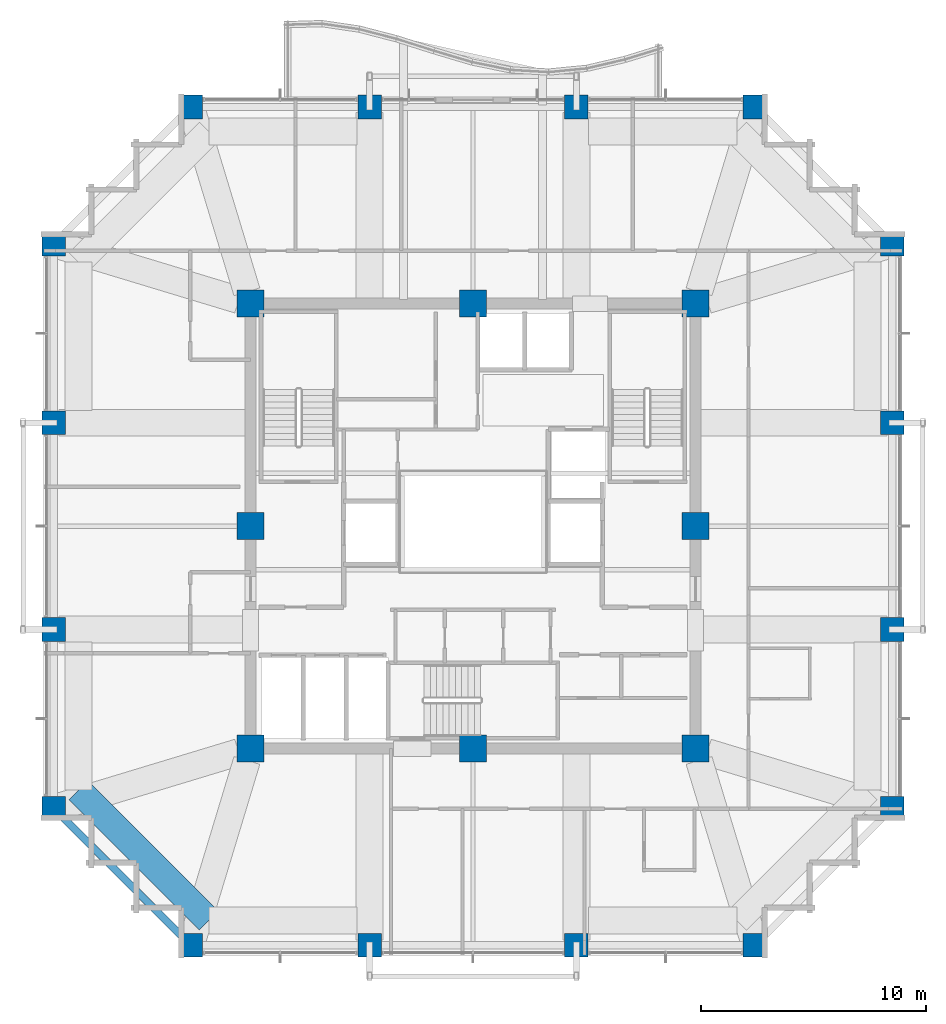
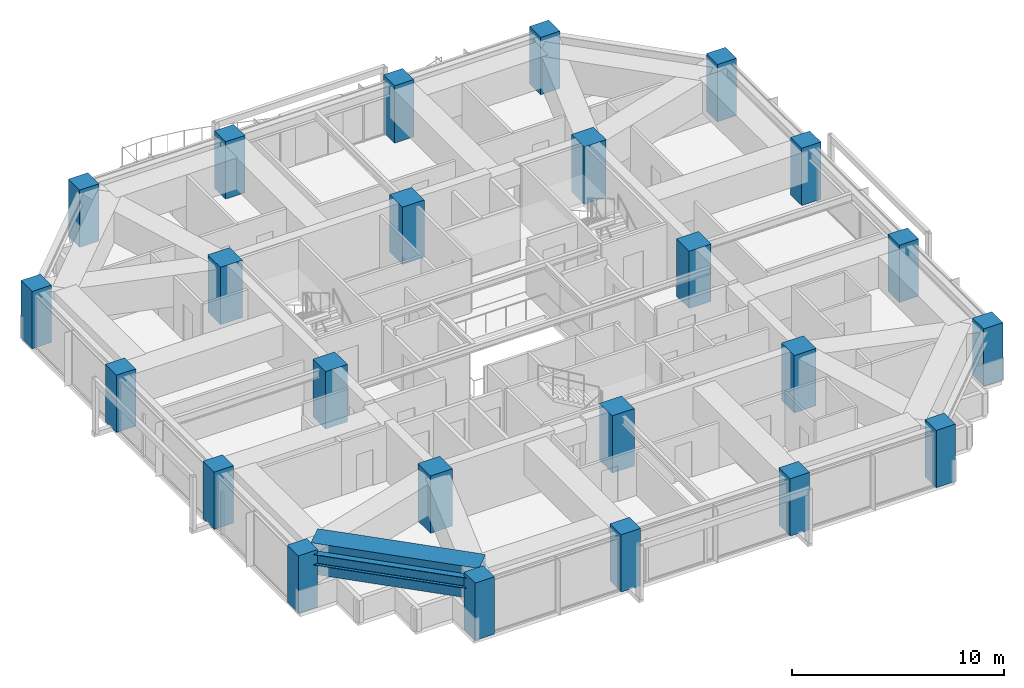
# One storey, part 1 of 28: 24 columns, 2 beams.
"""IFC4 building model written with IfcOpenShell, lengths in metres."""

from ifc_helpers import new_model, si_unit, direction, frame, origin, origin_2d, place, context, subcontext, project, spatial, rectangle, i_section, extrude, material, material_profile, profile_set, type_object, element, save


model = new_model("IFC4")

# Units and contexts
model_context = context("Model", 3, precision=1e-05, world=origin(), true_north=direction((0.0, 1.0)))
body_context = subcontext(model_context, "Body", "Model", "MODEL_VIEW")
ifc_project = project(units=[si_unit("LENGTHUNIT", "METRE"), si_unit("AREAUNIT", "SQUARE_METRE"), si_unit("VOLUMEUNIT", "CUBIC_METRE"), si_unit("PLANEANGLEUNIT", "RADIAN"), si_unit("MASSUNIT", "GRAM", prefix="KILO")], contexts=[model_context])

# Site, building, storey
site_placement = place(None, origin())
site = spatial("IfcSite", under=ifc_project, at=site_placement, CompositionType="ELEMENT")
building_placement = place(site_placement, origin())
building = spatial("IfcBuilding", under=site, at=building_placement, Name="Kolvaren Belvedere", CompositionType="ELEMENT")
storey_placement = place(building_placement, frame((0.0, 0.0, 125.0)))
storey = spatial("IfcBuildingStorey", under=building, at=storey_placement, Name="L36", CompositionType="ELEMENT", Elevation=125.0)

# Columns
ifc_material_1 = material(Name="Concrete C50/60", Category="concrete")
ifc_material_profile_1 = material_profile(ifc_material_1, rectangle(XDim=1.050048828125, YDim=1.050048828125, at=origin_2d()), Name="RC 1050X1050")
ifc_profile_set_1 = profile_set([ifc_material_profile_1], Name="Concrete C50/60")
column_type_1 = type_object("IfcColumnType", Name="COL-RC-1050", PredefinedType="COLUMN", material=ifc_profile_set_1)
for number, where, z_axis, x_axis, name in (
    (1, (-12.550048828125, -18.64990234375, 0.0), (0.0, 0.0, 1.0), (1.0, 0.0, 0.0), "L36 Perimeter Column S1"),
    (2, (-4.60009765625, -18.64990234375, 0.0), (0.0, 0.0, 1.0), (1.0, 0.0, 0.0), "L36 Perimeter Column S2"),
    (3, (4.60009765625, -18.64990234375, 0.0), (0.0, 0.0, 1.0), (1.0, 0.0, 0.0), "L36 Perimeter Column S3"),
    (4, (12.550048828125, -18.64990234375, 0.0), (0.0, 0.0, 1.0), (1.0, 0.0, 0.0), "L36 Perimeter Column S4"),
    (5, (-12.550048828125, 18.64990234375, 0.0), (0.0, 0.0, 1.0), (1.0, 0.0, 0.0), "L36 Perimeter Column N1"),
    (6, (-4.60009765625, 18.64990234375, 0.0), (0.0, 0.0, 1.0), (1.0, 0.0, 0.0), "L36 Perimeter Column N2"),
    (7, (4.60009765625, 18.64990234375, 0.0), (0.0, 0.0, 1.0), (1.0, 0.0, 0.0), "L36 Perimeter Column N3"),
    (8, (12.550048828125, 18.64990234375, 0.0), (0.0, 0.0, 1.0), (1.0, 0.0, 0.0), "L36 Perimeter Column N4"),
    (9, (-18.64990234375, -12.550048828125, 0.0), (0.0, 0.0, 1.0), (1.0, 0.0, 0.0), "L36 Perimeter Column W1"),
    (10, (-18.64990234375, -4.60009765625, 0.0), (0.0, 0.0, 1.0), (1.0, 0.0, 0.0), "L36 Perimeter Column W2"),
    (11, (-18.64990234375, 4.60009765625, 0.0), (0.0, 0.0, 1.0), (1.0, 0.0, 0.0), "L36 Perimeter Column W3"),
    (12, (-18.64990234375, 12.550048828125, 0.0), (0.0, 0.0, 1.0), (1.0, 0.0, 0.0), "L36 Perimeter Column W4"),
    (13, (18.64990234375, -12.550048828125, 0.0), (0.0, 0.0, 1.0), (1.0, 0.0, 0.0), "L36 Perimeter Column E1"),
    (14, (18.64990234375, -4.60009765625, 0.0), (0.0, 0.0, 1.0), (1.0, 0.0, 0.0), "L36 Perimeter Column E2"),
    (15, (18.64990234375, 4.60009765625, 0.0), (0.0, 0.0, 1.0), (1.0, 0.0, 0.0), "L36 Perimeter Column E3"),
    (16, (18.64990234375, 12.550048828125, 0.0), (0.0, 0.0, 1.0), (1.0, 0.0, 0.0), "L36 Perimeter Column E4"),
):
    element("IfcColumn", number, at=place(storey_placement, frame(where, z_axis=z_axis, x_axis=x_axis)), inside=storey, type_object=column_type_1, Name=name, PredefinedType="COLUMN", context=body_context, shape_type="SweptSolid", body=[
        extrude(rectangle(XDim=1.050048828125, YDim=1.050048828125, at=origin_2d()), origin(), (0.0, 0.0, 1.0), 3.300048828125),
    ])
ifc_material_2 = material(Name="Concrete C60/75", Category="concrete")
ifc_material_profile_2 = material_profile(ifc_material_2, rectangle(XDim=1.199951171875, YDim=1.199951171875, at=origin_2d()), Name="RC 1200X1200")
ifc_profile_set_2 = profile_set([ifc_material_profile_2], Name="Concrete C60/75")
column_type_2 = type_object("IfcColumnType", Name="COL-RC-1200", PredefinedType="COLUMN", material=ifc_profile_set_2)
for number, where, z_axis, x_axis, name in (
    (17, (-9.89990234375, -9.89990234375, 0.0), (0.0, 0.0, 1.0), (1.0, 0.0, 0.0), "L36 Core Column CC1"),
    (18, (9.89990234375, -9.89990234375, 0.0), (0.0, 0.0, 1.0), (1.0, 0.0, 0.0), "L36 Core Column CC2"),
    (19, (9.89990234375, 9.89990234375, 0.0), (0.0, 0.0, 1.0), (1.0, 0.0, 0.0), "L36 Core Column CC3"),
    (20, (-9.89990234375, 9.89990234375, 0.0), (0.0, 0.0, 1.0), (1.0, 0.0, 0.0), "L36 Core Column CC4"),
    (21, (0.0, -9.89990234375, 0.0), (0.0, 0.0, 1.0), (1.0, 0.0, 0.0), "L36 Core Column CM1"),
    (22, (9.89990234375, 0.0, 0.0), (0.0, 0.0, 1.0), (1.0, 0.0, 0.0), "L36 Core Column CM2"),
    (23, (0.0, 9.89990234375, 0.0), (0.0, 0.0, 1.0), (1.0, 0.0, 0.0), "L36 Core Column CM3"),
    (24, (-9.89990234375, 0.0, 0.0), (0.0, 0.0, 1.0), (1.0, 0.0, 0.0), "L36 Core Column CM4"),
):
    element("IfcColumn", number, at=place(storey_placement, frame(where, z_axis=z_axis, x_axis=x_axis)), inside=storey, type_object=column_type_2, Name=name, PredefinedType="COLUMN", context=body_context, shape_type="SweptSolid", body=[
        extrude(rectangle(XDim=1.199951171875, YDim=1.199951171875, at=origin_2d()), origin(), (0.0, 0.0, 1.0), 3.300048828125),
    ])

# Beams
ifc_material_3 = material(Name="Structural steel ASTM A992 Grade 50", Category="steel")
ifc_material_profile_3 = material_profile(ifc_material_3, i_section(OverallWidth=0.324951171875, OverallDepth=0.615966796875, WebThickness=0.013916015625, FlangeThickness=0.021484375, FilletRadius=0.02001953125, at=origin_2d()), Name="W24X117")
ifc_profile_set_3 = profile_set([ifc_material_profile_3], Name="Structural steel ASTM A992 Grade 50")
beam_type_1 = type_object("IfcBeamType", Name="BM-SPAN-W24X117", PredefinedType="SPANDREL", material=ifc_profile_set_3)
beam_1_placement = place(storey_placement, frame((-18.48291015625, -12.717041015625, 2.7919921875), z_axis=(0.707106781187, -0.707106781187, 0.0), x_axis=(0.707106781187, 0.707106781187, 0.0)))
element("IfcBeam", 25, at=beam_1_placement, inside=storey, type_object=beam_type_1, Name="L36 Perimeter Spandrel W1-S1", PredefinedType="SPANDREL", context=body_context, shape_type="SweptSolid", body=[
    extrude(i_section(OverallWidth=0.324951171875, OverallDepth=0.615966796875, WebThickness=0.013916015625, FlangeThickness=0.021484375, FilletRadius=0.02001953125, at=origin_2d()), origin(), (0.0, 0.0, 1.0), 8.154052734375),
])
ifc_material_4 = material(Name="Concrete C50/60", Category="concrete")
ifc_material_profile_4 = material_profile(ifc_material_4, rectangle(XDim=1.199951171875, YDim=1.800048828125, at=origin_2d()), Name="RC 1200X1800")
ifc_profile_set_4 = profile_set([ifc_material_profile_4], Name="Concrete C50/60")
beam_type_2 = type_object("IfcBeamType", Name="BM-TG-1800", PredefinedType="BEAM", material=ifc_profile_set_4)
beam_2_placement = place(storey_placement, frame((-17.550048828125, -11.75, 2.199951171875), z_axis=(0.707106781187, -0.707106781187, 0.0), x_axis=(0.707106781187, 0.707106781187, 0.0)))
element("IfcBeam", 26, at=beam_2_placement, inside=storey, type_object=beam_type_2, Name="L36 Step Transfer Ring Girder W1-S1", PredefinedType="BEAM", context=body_context, shape_type="SweptSolid", body=[
    extrude(rectangle(XDim=1.199951171875, YDim=1.800048828125, at=origin_2d()), origin(), (0.0, 0.0, 1.0), 8.202392578125),
])

save(model, "model.ifc")
